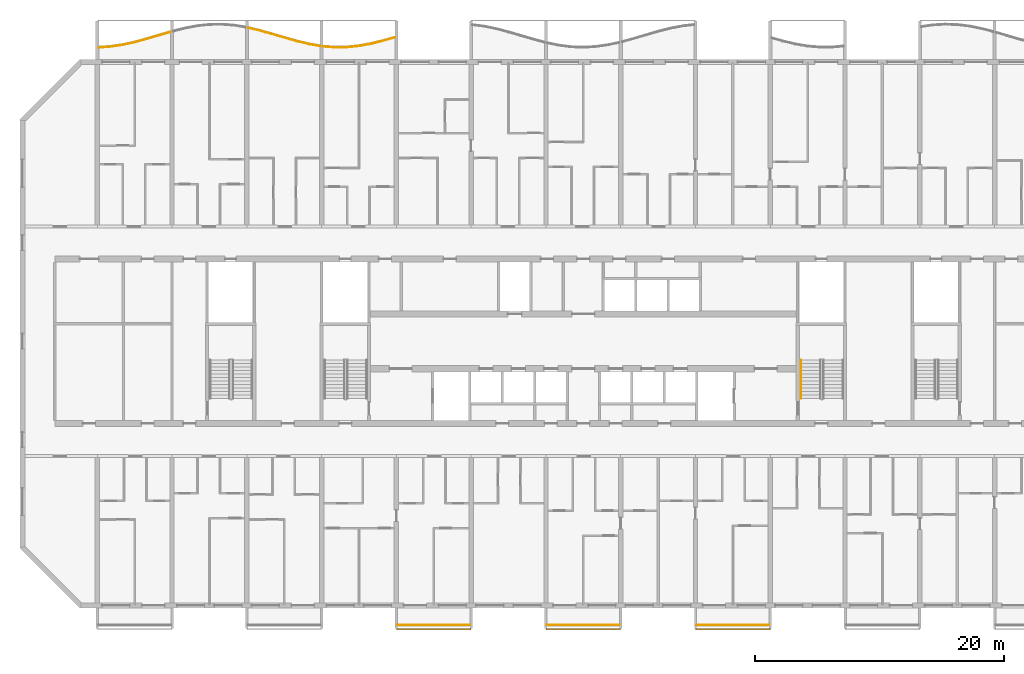
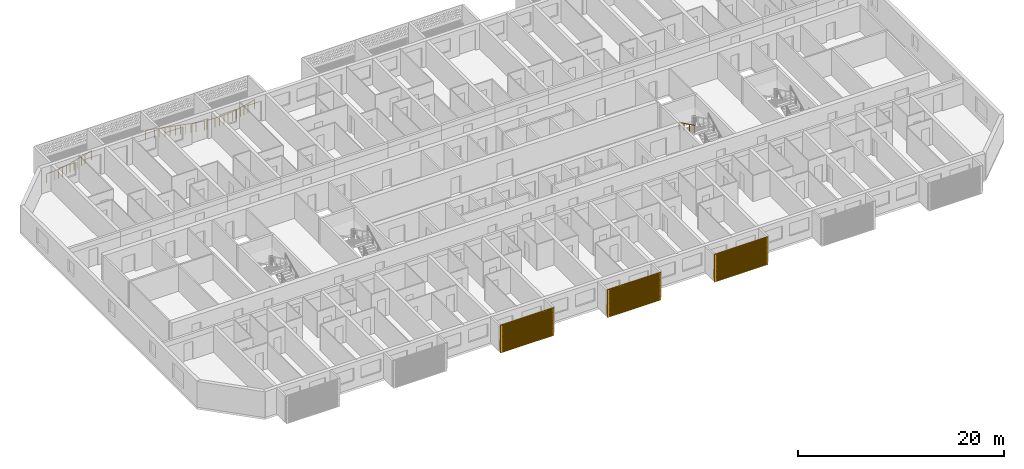
# One storey, part 18 of 27: 7 railings, 3 shading devices.
"""IFC4 building model written with IfcOpenShell, lengths in metres."""

from ifc_helpers import new_model, si_unit, direction, frame, origin, origin_2d, place, context, subcontext, project, spatial, polyline, circle, outline, extrude, source, transform, mapped, material, material_profile, profile_set, type_object, element, save


model = new_model("IFC4")

# Units and contexts
model_context = context("Model", 3, precision=1e-05, world=origin(), true_north=direction((0.0, 1.0)))
body_context = subcontext(model_context, "Body", "Model", "MODEL_VIEW")
ifc_project = project(units=[si_unit("LENGTHUNIT", "METRE"), si_unit("AREAUNIT", "SQUARE_METRE"), si_unit("VOLUMEUNIT", "CUBIC_METRE"), si_unit("PLANEANGLEUNIT", "RADIAN"), si_unit("MASSUNIT", "GRAM", prefix="KILO")], contexts=[model_context])

# Site, building, storey
site_placement = place(None, origin())
site = spatial("IfcSite", under=ifc_project, at=site_placement, CompositionType="ELEMENT")
building_placement = place(site_placement, origin())
building = spatial("IfcBuilding", under=site, at=building_placement, Name="Poui Terraces", CompositionType="ELEMENT")
storey_placement = place(building_placement, frame((0.0, 0.0, 76.199951171875)))
storey = spatial("IfcBuildingStorey", under=building, at=storey_placement, Name="L20", CompositionType="ELEMENT", Elevation=76.199951171875)

# Railings
ifc_material_1 = material(Name="Painted steel fretwork", Category="steel")
railing_type_1 = type_object("IfcRailingType", Name="BALCONY GUARD 1100", PredefinedType="GUARDRAIL", material=ifc_material_1)
railing_1_placement = place(storey_placement, frame((12.125, 44.772216796875, 0.0)))
element("IfcRailing", 1, at=railing_1_placement, inside=storey, type_object=railing_type_1, Name="BALCONY GUARD", PredefinedType="GUARDRAIL", context=body_context, shape_type="SweptSolid", body=[
    extrude(circle(Radius=0.02392578125, at=origin_2d()), frame((0.0, 0.0, 1.076171875), z_axis=(0.998138306731, 0.060991152113, 0.0), x_axis=(-0.060991152113, 0.998138306731, 0.0)), (0.0, 0.0, 1.0), 0.876708984375),
    extrude(circle(Radius=0.02392578125, at=origin_2d()), frame((0.875, 0.053466796875, 1.076171875), z_axis=(0.989647671833, 0.143518241472, 0.0), x_axis=(-0.143518241472, 0.989647671833, 0.0)), (0.0, 0.0, 1.0), 1.010498046875),
    extrude(circle(Radius=0.02392578125, at=origin_2d()), frame((1.875, 0.198486328125, 1.076171875), z_axis=(0.97675043296, 0.214379550593, 0.0), x_axis=(-0.214379550593, 0.97675043296, 0.0)), (0.0, 0.0, 1.0), 1.023681640625),
    extrude(circle(Radius=0.02392578125, at=origin_2d()), frame((2.875, 0.41796875, 1.076171875), z_axis=(0.965067658743, 0.262000790167, 0.0), x_axis=(-0.262000790167, 0.965067658743, 0.0)), (0.0, 0.0, 1.0), 1.0361328125),
    extrude(circle(Radius=0.02392578125, at=origin_2d()), frame((3.875, 0.689453125, 1.076171875), z_axis=(0.959029275123, 0.283306988012, 0.0), x_axis=(-0.283306988012, 0.959029275123, 0.0)), (0.0, 0.0, 1.0), 1.042724609375),
    extrude(circle(Radius=0.02392578125, at=origin_2d()), frame((4.875, 0.98486328125, 1.076171875), z_axis=(0.960239707098, 0.279176834485, 0.0), x_axis=(-0.279176834485, 0.960239707098, 0.0)), (0.0, 0.0, 1.0), 0.9111328125),
    extrude(circle(Radius=0.02099609375, at=origin_2d()), origin(), (0.0, 0.0, 1.0), 1.052001953125),
    extrude(circle(Radius=0.02099609375, at=origin_2d()), frame((0.875, 0.053466796875, 0.0)), (0.0, 0.0, 1.0), 1.052001953125),
    extrude(circle(Radius=0.02099609375, at=origin_2d()), frame((1.375, 0.1259765625, 0.0)), (0.0, 0.0, 1.0), 1.052001953125),
    extrude(circle(Radius=0.02099609375, at=origin_2d()), frame((1.875, 0.198486328125, 0.0)), (0.0, 0.0, 1.0), 1.052001953125),
    extrude(circle(Radius=0.02099609375, at=origin_2d()), frame((2.375, 0.30810546875, 0.0)), (0.0, 0.0, 1.0), 1.052001953125),
    extrude(circle(Radius=0.02099609375, at=origin_2d()), frame((2.875, 0.41796875, 0.0)), (0.0, 0.0, 1.0), 1.052001953125),
    extrude(circle(Radius=0.02099609375, at=origin_2d()), frame((3.375, 0.5537109375, 0.0)), (0.0, 0.0, 1.0), 1.052001953125),
    extrude(circle(Radius=0.02099609375, at=origin_2d()), frame((3.875, 0.689453125, 0.0)), (0.0, 0.0, 1.0), 1.052001953125),
    extrude(circle(Radius=0.02099609375, at=origin_2d()), frame((4.375, 0.837158203125, 0.0)), (0.0, 0.0, 1.0), 1.052001953125),
    extrude(circle(Radius=0.02099609375, at=origin_2d()), frame((4.875, 0.98486328125, 0.0)), (0.0, 0.0, 1.0), 1.052001953125),
    extrude(circle(Radius=0.02099609375, at=origin_2d()), frame((5.75, 1.2392578125, 0.0)), (0.0, 0.0, 1.0), 1.052001953125),
])
railing_2_placement = place(storey_placement, frame((24.125, 46.3447265625, 0.0)))
element("IfcRailing", 2, at=railing_2_placement, inside=storey, type_object=railing_type_1, Name="BALCONY GUARD", PredefinedType="GUARDRAIL", context=body_context, shape_type="SweptSolid", body=[
    extrude(circle(Radius=0.02392578125, at=origin_2d()), frame((0.0, 0.0, 1.076171875), z_axis=(0.972642909815, -0.232305337835, 0.0), x_axis=(0.232305337835, 0.972642909815, 0.0)), (0.0, 0.0, 1.0), 0.899658203125),
    extrude(circle(Radius=0.02392578125, at=origin_2d()), frame((0.875, -0.208984375, 1.076171875), z_axis=(0.962956694383, -0.269656086049, 0.0), x_axis=(0.269656086049, 0.962956694383, 0.0)), (0.0, 0.0, 1.0), 1.03857421875),
    extrude(circle(Radius=0.02392578125, at=origin_2d()), frame((1.875, -0.489013671875, 1.076171875), z_axis=(0.958646866278, -0.284598288426, 0.0), x_axis=(0.284598288426, 0.958646866278, 0.0)), (0.0, 0.0, 1.0), 1.043212890625),
    extrude(circle(Radius=0.02392578125, at=origin_2d()), frame((2.875, -0.785888671875, 1.076171875), z_axis=(0.962282666556, -0.272051593719, 0.0), x_axis=(0.272051593719, 0.962282666556, 0.0)), (0.0, 0.0, 1.0), 1.039306640625),
    extrude(circle(Radius=0.02392578125, at=origin_2d()), frame((3.875, -1.068603515625, 1.076171875), z_axis=(0.972497106951, -0.232914956523, 0.0), x_axis=(0.232914956523, 0.972497106951, 0.0)), (0.0, 0.0, 1.0), 1.0283203125),
    extrude(circle(Radius=0.02392578125, at=origin_2d()), frame((4.875, -1.30810546875, 1.076171875), z_axis=(0.984711559518, -0.174192837258, 0.0), x_axis=(0.174192837258, 0.984711559518, 0.0)), (0.0, 0.0, 1.0), 0.888671875),
    extrude(circle(Radius=0.02099609375, at=origin_2d()), origin(), (0.0, 0.0, 1.0), 1.052001953125),
    extrude(circle(Radius=0.02099609375, at=origin_2d()), frame((0.875, -0.208984375, 0.0)), (0.0, 0.0, 1.0), 1.052001953125),
    extrude(circle(Radius=0.02099609375, at=origin_2d()), frame((1.375, -0.34912109375, 0.0)), (0.0, 0.0, 1.0), 1.052001953125),
    extrude(circle(Radius=0.02099609375, at=origin_2d()), frame((1.875, -0.489013671875, 0.0)), (0.0, 0.0, 1.0), 1.052001953125),
    extrude(circle(Radius=0.02099609375, at=origin_2d()), frame((2.375, -0.637451171875, 0.0)), (0.0, 0.0, 1.0), 1.052001953125),
    extrude(circle(Radius=0.02099609375, at=origin_2d()), frame((2.875, -0.785888671875, 0.0)), (0.0, 0.0, 1.0), 1.052001953125),
    extrude(circle(Radius=0.02099609375, at=origin_2d()), frame((3.375, -0.92724609375, 0.0)), (0.0, 0.0, 1.0), 1.052001953125),
    extrude(circle(Radius=0.02099609375, at=origin_2d()), frame((3.875, -1.068603515625, 0.0)), (0.0, 0.0, 1.0), 1.052001953125),
    extrude(circle(Radius=0.02099609375, at=origin_2d()), frame((4.375, -1.1884765625, 0.0)), (0.0, 0.0, 1.0), 1.052001953125),
    extrude(circle(Radius=0.02099609375, at=origin_2d()), frame((4.875, -1.30810546875, 0.0)), (0.0, 0.0, 1.0), 1.052001953125),
    extrude(circle(Radius=0.02099609375, at=origin_2d()), frame((5.75, -1.462890625, 0.0)), (0.0, 0.0, 1.0), 1.052001953125),
])
railing_3_placement = place(storey_placement, frame((30.125, 44.84912109375, 0.0)))
element("IfcRailing", 3, at=railing_3_placement, inside=storey, type_object=railing_type_1, Name="BALCONY GUARD", PredefinedType="GUARDRAIL", context=body_context, shape_type="SweptSolid", body=[
    extrude(circle(Radius=0.02392578125, at=origin_2d()), frame((0.0, 0.0, 1.076171875), z_axis=(0.996742354742, -0.080651585624, 0.0), x_axis=(0.080651585624, 0.996742354742, 0.0)), (0.0, 0.0, 1.0), 0.8779296875),
    extrude(circle(Radius=0.02392578125, at=origin_2d()), frame((0.875, -0.07080078125, 1.076171875), z_axis=(0.999967546851, 0.008056379162, 0.0), x_axis=(-0.008056379162, 0.999967546851, 0.0)), (0.0, 0.0, 1.0), 1.0),
    extrude(circle(Radius=0.02392578125, at=origin_2d()), frame((1.875, -0.062744140625, 1.076171875), z_axis=(0.994906476978, 0.100802291979, 0.0), x_axis=(-0.100802291979, 0.994906476978, 0.0)), (0.0, 0.0, 1.0), 1.005126953125),
    extrude(circle(Radius=0.02392578125, at=origin_2d()), frame((2.875, 0.03857421875, 1.076171875), z_axis=(0.983347214192, 0.181736777623, 0.0), x_axis=(-0.181736777623, 0.983347214192, 0.0)), (0.0, 0.0, 1.0), 1.016845703125),
    extrude(circle(Radius=0.02392578125, at=origin_2d()), frame((3.875, 0.223388671875, 1.076171875), z_axis=(0.970476070643, 0.241197421854, 0.0), x_axis=(-0.241197421854, 0.970476070643, 0.0)), (0.0, 0.0, 1.0), 1.030517578125),
    extrude(circle(Radius=0.02392578125, at=origin_2d()), frame((4.875, 0.471923828125, 1.076171875), z_axis=(0.961453053843, 0.274969135097, 0.0), x_axis=(-0.274969135097, 0.961453053843, 0.0)), (0.0, 0.0, 1.0), 0.91015625),
    extrude(circle(Radius=0.02099609375, at=origin_2d()), origin(), (0.0, 0.0, 1.0), 1.052001953125),
    extrude(circle(Radius=0.02099609375, at=origin_2d()), frame((0.875, -0.07080078125, 0.0)), (0.0, 0.0, 1.0), 1.052001953125),
    extrude(circle(Radius=0.02099609375, at=origin_2d()), frame((1.375, -0.06689453125, 0.0)), (0.0, 0.0, 1.0), 1.052001953125),
    extrude(circle(Radius=0.02099609375, at=origin_2d()), frame((1.875, -0.062744140625, 0.0)), (0.0, 0.0, 1.0), 1.052001953125),
    extrude(circle(Radius=0.02099609375, at=origin_2d()), frame((2.375, -0.01220703125, 0.0)), (0.0, 0.0, 1.0), 1.052001953125),
    extrude(circle(Radius=0.02099609375, at=origin_2d()), frame((2.875, 0.03857421875, 0.0)), (0.0, 0.0, 1.0), 1.052001953125),
    extrude(circle(Radius=0.02099609375, at=origin_2d()), frame((3.375, 0.130859375, 0.0)), (0.0, 0.0, 1.0), 1.052001953125),
    extrude(circle(Radius=0.02099609375, at=origin_2d()), frame((3.875, 0.223388671875, 0.0)), (0.0, 0.0, 1.0), 1.052001953125),
    extrude(circle(Radius=0.02099609375, at=origin_2d()), frame((4.375, 0.34765625, 0.0)), (0.0, 0.0, 1.0), 1.052001953125),
    extrude(circle(Radius=0.02099609375, at=origin_2d()), frame((4.875, 0.471923828125, 0.0)), (0.0, 0.0, 1.0), 1.052001953125),
    extrude(circle(Radius=0.02099609375, at=origin_2d()), frame((5.75, 0.72216796875, 0.0)), (0.0, 0.0, 1.0), 1.052001953125),
])
for number, where, name in (
    (4, (36.10009765625, -1.570068359375, 0.0), "BALCONY GUARD"),
    (5, (48.10009765625, -1.570068359375, 0.0), "BALCONY GUARD"),
    (6, (60.10009765625, -1.570068359375, 0.0), "BALCONY GUARD"),
):
    element("IfcRailing", number, at=place(storey_placement, frame(where)), inside=storey, type_object=railing_type_1, Name=name, PredefinedType="GUARDRAIL", context=body_context, shape_type="SweptSolid", body=[
        extrude(circle(Radius=0.02392578125, at=origin_2d()), frame((0.0, 0.0, 1.076171875), z_axis=(1.0, 0.0, 0.0), x_axis=(0.0, 1.0, 0.0)), (0.0, 0.0, 1.0), 5.7998046875),
        extrude(circle(Radius=0.02099609375, at=origin_2d()), origin(), (0.0, 0.0, 1.0), 1.052001953125),
        extrude(circle(Radius=0.02099609375, at=origin_2d()), frame((0.966552734375, 0.0, 0.0)), (0.0, 0.0, 1.0), 1.052001953125),
        extrude(circle(Radius=0.02099609375, at=origin_2d()), frame((1.933349609375, 0.0, 0.0)), (0.0, 0.0, 1.0), 1.052001953125),
        extrude(circle(Radius=0.02099609375, at=origin_2d()), frame((2.89990234375, 0.0, 0.0)), (0.0, 0.0, 1.0), 1.052001953125),
        extrude(circle(Radius=0.02099609375, at=origin_2d()), frame((3.866455078125, 0.0, 0.0)), (0.0, 0.0, 1.0), 1.052001953125),
        extrude(circle(Radius=0.02099609375, at=origin_2d()), frame((4.833251953125, 0.0, 0.0)), (0.0, 0.0, 1.0), 1.052001953125),
        extrude(circle(Radius=0.02099609375, at=origin_2d()), frame((5.7998046875, 0.0, 0.0)), (0.0, 0.0, 1.0), 1.052001953125),
    ])
ifc_material_2 = material(Name="Stainless steel handrail", Category="steel")
railing_type_2 = type_object("IfcRailingType", Name="STAIR HANDRAIL 900", PredefinedType="HANDRAIL", material=ifc_material_2)
railing_4_placement = place(storey_placement, frame((68.47509765625, 19.679931640625, 1.78759765625)))
element("IfcRailing", 7, at=railing_4_placement, inside=storey, type_object=railing_type_2, Name="L20 ST-CE stair handrail 2", PredefinedType="HANDRAIL", context=body_context, shape_type="SweptSolid", body=[
    extrude(circle(Radius=0.02392578125, at=origin_2d()), frame((0.0, 0.0, 0.8759765625), z_axis=(0.0, -0.897606190399, 0.440798283751), x_axis=(1.0, 0.0, 0.0)), (0.0, 0.0, 1.0), 3.43115234375),
    extrude(circle(Radius=0.02099609375, at=origin_2d()), origin(), (0.0, 0.0, 1.0), 0.851806640625),
    extrude(circle(Radius=0.02099609375, at=origin_2d()), frame((0.0, -1.026611328125, 0.504150390625)), (0.0, 0.0, 1.0), 0.851806640625),
    extrude(circle(Radius=0.02099609375, at=origin_2d()), frame((0.0, -2.05322265625, 1.00830078125)), (0.0, 0.0, 1.0), 0.851806640625),
    extrude(circle(Radius=0.02099609375, at=origin_2d()), frame((0.0, -3.079833984375, 1.512451171875)), (0.0, 0.0, 1.0), 0.851806640625),
])

# Shading devices
ifc_material_3 = material(Name="Aluminium louvre", Category="aluminium")
ifc_material_profile = material_profile(ifc_material_3, outline(polyline([(-3.0, -1.64990234375), (3.0, -1.64990234375), (3.0, 1.64990234375), (-3.0, 1.64990234375), (-3.0, -1.64990234375)]), holes=[polyline([(-2.800048828125, -1.530029296875), (2.800048828125, -1.530029296875), (2.800048828125, -1.469970703125), (-2.800048828125, -1.469970703125), (-2.800048828125, -1.530029296875)]), polyline([(-2.800048828125, -1.429931640625), (2.800048828125, -1.429931640625), (2.800048828125, -1.3701171875), (-2.800048828125, -1.3701171875), (-2.800048828125, -1.429931640625)]), polyline([(-2.800048828125, -1.330078125), (2.800048828125, -1.330078125), (2.800048828125, -1.27001953125), (-2.800048828125, -1.27001953125), (-2.800048828125, -1.330078125)]), polyline([(-2.800048828125, -1.22998046875), (2.800048828125, -1.22998046875), (2.800048828125, -1.169921875), (-2.800048828125, -1.169921875), (-2.800048828125, -1.22998046875)]), polyline([(-2.800048828125, -1.1298828125), (2.800048828125, -1.1298828125), (2.800048828125, -1.070068359375), (-2.800048828125, -1.070068359375), (-2.800048828125, -1.1298828125)]), polyline([(-2.800048828125, -1.030029296875), (2.800048828125, -1.030029296875), (2.800048828125, -0.969970703125), (-2.800048828125, -0.969970703125), (-2.800048828125, -1.030029296875)]), polyline([(-2.800048828125, -0.929931640625), (2.800048828125, -0.929931640625), (2.800048828125, -0.8701171875), (-2.800048828125, -0.8701171875), (-2.800048828125, -0.929931640625)]), polyline([(-2.800048828125, -0.830078125), (2.800048828125, -0.830078125), (2.800048828125, -0.77001953125), (-2.800048828125, -0.77001953125), (-2.800048828125, -0.830078125)]), polyline([(-2.800048828125, -0.72998046875), (2.800048828125, -0.72998046875), (2.800048828125, -0.669921875), (-2.800048828125, -0.669921875), (-2.800048828125, -0.72998046875)]), polyline([(-2.800048828125, -0.6298828125), (2.800048828125, -0.6298828125), (2.800048828125, -0.570068359375), (-2.800048828125, -0.570068359375), (-2.800048828125, -0.6298828125)]), polyline([(-2.800048828125, -0.530029296875), (2.800048828125, -0.530029296875), (2.800048828125, -0.469970703125), (-2.800048828125, -0.469970703125), (-2.800048828125, -0.530029296875)]), polyline([(-2.800048828125, -0.429931640625), (2.800048828125, -0.429931640625), (2.800048828125, -0.3701171875), (-2.800048828125, -0.3701171875), (-2.800048828125, -0.429931640625)]), polyline([(-2.800048828125, -0.330078125), (2.800048828125, -0.330078125), (2.800048828125, -0.27001953125), (-2.800048828125, -0.27001953125), (-2.800048828125, -0.330078125)]), polyline([(-2.800048828125, -0.22998046875), (2.800048828125, -0.22998046875), (2.800048828125, -0.169921875), (-2.800048828125, -0.169921875), (-2.800048828125, -0.22998046875)]), polyline([(-2.800048828125, -0.1298828125), (2.800048828125, -0.1298828125), (2.800048828125, -0.070068359375), (-2.800048828125, -0.070068359375), (-2.800048828125, -0.1298828125)]), polyline([(-2.800048828125, -0.030029296875), (2.800048828125, -0.030029296875), (2.800048828125, 0.030029296875), (-2.800048828125, 0.030029296875), (-2.800048828125, -0.030029296875)]), polyline([(-2.800048828125, 0.070068359375), (2.800048828125, 0.070068359375), (2.800048828125, 0.1298828125), (-2.800048828125, 0.1298828125), (-2.800048828125, 0.070068359375)]), polyline([(-2.800048828125, 0.169921875), (2.800048828125, 0.169921875), (2.800048828125, 0.22998046875), (-2.800048828125, 0.22998046875), (-2.800048828125, 0.169921875)]), polyline([(-2.800048828125, 0.27001953125), (2.800048828125, 0.27001953125), (2.800048828125, 0.330078125), (-2.800048828125, 0.330078125), (-2.800048828125, 0.27001953125)]), polyline([(-2.800048828125, 0.3701171875), (2.800048828125, 0.3701171875), (2.800048828125, 0.429931640625), (-2.800048828125, 0.429931640625), (-2.800048828125, 0.3701171875)]), polyline([(-2.800048828125, 0.469970703125), (2.800048828125, 0.469970703125), (2.800048828125, 0.530029296875), (-2.800048828125, 0.530029296875), (-2.800048828125, 0.469970703125)]), polyline([(-2.800048828125, 0.570068359375), (2.800048828125, 0.570068359375), (2.800048828125, 0.6298828125), (-2.800048828125, 0.6298828125), (-2.800048828125, 0.570068359375)]), polyline([(-2.800048828125, 0.669921875), (2.800048828125, 0.669921875), (2.800048828125, 0.72998046875), (-2.800048828125, 0.72998046875), (-2.800048828125, 0.669921875)]), polyline([(-2.800048828125, 0.77001953125), (2.800048828125, 0.77001953125), (2.800048828125, 0.830078125), (-2.800048828125, 0.830078125), (-2.800048828125, 0.77001953125)]), polyline([(-2.800048828125, 0.8701171875), (2.800048828125, 0.8701171875), (2.800048828125, 0.929931640625), (-2.800048828125, 0.929931640625), (-2.800048828125, 0.8701171875)]), polyline([(-2.800048828125, 0.969970703125), (2.800048828125, 0.969970703125), (2.800048828125, 1.030029296875), (-2.800048828125, 1.030029296875), (-2.800048828125, 0.969970703125)]), polyline([(-2.800048828125, 1.070068359375), (2.800048828125, 1.070068359375), (2.800048828125, 1.1298828125), (-2.800048828125, 1.1298828125), (-2.800048828125, 1.070068359375)]), polyline([(-2.800048828125, 1.169921875), (2.800048828125, 1.169921875), (2.800048828125, 1.22998046875), (-2.800048828125, 1.22998046875), (-2.800048828125, 1.169921875)]), polyline([(-2.800048828125, 1.27001953125), (2.800048828125, 1.27001953125), (2.800048828125, 1.330078125), (-2.800048828125, 1.330078125), (-2.800048828125, 1.27001953125)]), polyline([(-2.800048828125, 1.3701171875), (2.800048828125, 1.3701171875), (2.800048828125, 1.429931640625), (-2.800048828125, 1.429931640625), (-2.800048828125, 1.3701171875)]), polyline([(-2.800048828125, 1.469970703125), (2.800048828125, 1.469970703125), (2.800048828125, 1.530029296875), (-2.800048828125, 1.530029296875), (-2.800048828125, 1.469970703125)])]), Name="JALOUSIE LOUVRE SHUTTER 6000X3300")
ifc_profile_set = profile_set([ifc_material_profile], Name="Aluminium louvre")
shading_device_type = type_object("IfcShadingDeviceType", Name="JALOUSIE LOUVRE SHUTTER 6000X3300", PredefinedType="JALOUSIE", material=ifc_profile_set)
shared_shape = source(origin(), body_context, "Body", "SweptSolid", [
    extrude(outline(polyline([(-3.0, -1.64990234375), (3.0, -1.64990234375), (3.0, 1.64990234375), (-3.0, 1.64990234375), (-3.0, -1.64990234375)]), holes=[polyline([(-2.800048828125, -1.530029296875), (2.800048828125, -1.530029296875), (2.800048828125, -1.469970703125), (-2.800048828125, -1.469970703125), (-2.800048828125, -1.530029296875)]), polyline([(-2.800048828125, -1.429931640625), (2.800048828125, -1.429931640625), (2.800048828125, -1.3701171875), (-2.800048828125, -1.3701171875), (-2.800048828125, -1.429931640625)]), polyline([(-2.800048828125, -1.330078125), (2.800048828125, -1.330078125), (2.800048828125, -1.27001953125), (-2.800048828125, -1.27001953125), (-2.800048828125, -1.330078125)]), polyline([(-2.800048828125, -1.22998046875), (2.800048828125, -1.22998046875), (2.800048828125, -1.169921875), (-2.800048828125, -1.169921875), (-2.800048828125, -1.22998046875)]), polyline([(-2.800048828125, -1.1298828125), (2.800048828125, -1.1298828125), (2.800048828125, -1.070068359375), (-2.800048828125, -1.070068359375), (-2.800048828125, -1.1298828125)]), polyline([(-2.800048828125, -1.030029296875), (2.800048828125, -1.030029296875), (2.800048828125, -0.969970703125), (-2.800048828125, -0.969970703125), (-2.800048828125, -1.030029296875)]), polyline([(-2.800048828125, -0.929931640625), (2.800048828125, -0.929931640625), (2.800048828125, -0.8701171875), (-2.800048828125, -0.8701171875), (-2.800048828125, -0.929931640625)]), polyline([(-2.800048828125, -0.830078125), (2.800048828125, -0.830078125), (2.800048828125, -0.77001953125), (-2.800048828125, -0.77001953125), (-2.800048828125, -0.830078125)]), polyline([(-2.800048828125, -0.72998046875), (2.800048828125, -0.72998046875), (2.800048828125, -0.669921875), (-2.800048828125, -0.669921875), (-2.800048828125, -0.72998046875)]), polyline([(-2.800048828125, -0.6298828125), (2.800048828125, -0.6298828125), (2.800048828125, -0.570068359375), (-2.800048828125, -0.570068359375), (-2.800048828125, -0.6298828125)]), polyline([(-2.800048828125, -0.530029296875), (2.800048828125, -0.530029296875), (2.800048828125, -0.469970703125), (-2.800048828125, -0.469970703125), (-2.800048828125, -0.530029296875)]), polyline([(-2.800048828125, -0.429931640625), (2.800048828125, -0.429931640625), (2.800048828125, -0.3701171875), (-2.800048828125, -0.3701171875), (-2.800048828125, -0.429931640625)]), polyline([(-2.800048828125, -0.330078125), (2.800048828125, -0.330078125), (2.800048828125, -0.27001953125), (-2.800048828125, -0.27001953125), (-2.800048828125, -0.330078125)]), polyline([(-2.800048828125, -0.22998046875), (2.800048828125, -0.22998046875), (2.800048828125, -0.169921875), (-2.800048828125, -0.169921875), (-2.800048828125, -0.22998046875)]), polyline([(-2.800048828125, -0.1298828125), (2.800048828125, -0.1298828125), (2.800048828125, -0.070068359375), (-2.800048828125, -0.070068359375), (-2.800048828125, -0.1298828125)]), polyline([(-2.800048828125, -0.030029296875), (2.800048828125, -0.030029296875), (2.800048828125, 0.030029296875), (-2.800048828125, 0.030029296875), (-2.800048828125, -0.030029296875)]), polyline([(-2.800048828125, 0.070068359375), (2.800048828125, 0.070068359375), (2.800048828125, 0.1298828125), (-2.800048828125, 0.1298828125), (-2.800048828125, 0.070068359375)]), polyline([(-2.800048828125, 0.169921875), (2.800048828125, 0.169921875), (2.800048828125, 0.22998046875), (-2.800048828125, 0.22998046875), (-2.800048828125, 0.169921875)]), polyline([(-2.800048828125, 0.27001953125), (2.800048828125, 0.27001953125), (2.800048828125, 0.330078125), (-2.800048828125, 0.330078125), (-2.800048828125, 0.27001953125)]), polyline([(-2.800048828125, 0.3701171875), (2.800048828125, 0.3701171875), (2.800048828125, 0.429931640625), (-2.800048828125, 0.429931640625), (-2.800048828125, 0.3701171875)]), polyline([(-2.800048828125, 0.469970703125), (2.800048828125, 0.469970703125), (2.800048828125, 0.530029296875), (-2.800048828125, 0.530029296875), (-2.800048828125, 0.469970703125)]), polyline([(-2.800048828125, 0.570068359375), (2.800048828125, 0.570068359375), (2.800048828125, 0.6298828125), (-2.800048828125, 0.6298828125), (-2.800048828125, 0.570068359375)]), polyline([(-2.800048828125, 0.669921875), (2.800048828125, 0.669921875), (2.800048828125, 0.72998046875), (-2.800048828125, 0.72998046875), (-2.800048828125, 0.669921875)]), polyline([(-2.800048828125, 0.77001953125), (2.800048828125, 0.77001953125), (2.800048828125, 0.830078125), (-2.800048828125, 0.830078125), (-2.800048828125, 0.77001953125)]), polyline([(-2.800048828125, 0.8701171875), (2.800048828125, 0.8701171875), (2.800048828125, 0.929931640625), (-2.800048828125, 0.929931640625), (-2.800048828125, 0.8701171875)]), polyline([(-2.800048828125, 0.969970703125), (2.800048828125, 0.969970703125), (2.800048828125, 1.030029296875), (-2.800048828125, 1.030029296875), (-2.800048828125, 0.969970703125)]), polyline([(-2.800048828125, 1.070068359375), (2.800048828125, 1.070068359375), (2.800048828125, 1.1298828125), (-2.800048828125, 1.1298828125), (-2.800048828125, 1.070068359375)]), polyline([(-2.800048828125, 1.169921875), (2.800048828125, 1.169921875), (2.800048828125, 1.22998046875), (-2.800048828125, 1.22998046875), (-2.800048828125, 1.169921875)]), polyline([(-2.800048828125, 1.27001953125), (2.800048828125, 1.27001953125), (2.800048828125, 1.330078125), (-2.800048828125, 1.330078125), (-2.800048828125, 1.27001953125)]), polyline([(-2.800048828125, 1.3701171875), (2.800048828125, 1.3701171875), (2.800048828125, 1.429931640625), (-2.800048828125, 1.429931640625), (-2.800048828125, 1.3701171875)]), polyline([(-2.800048828125, 1.469970703125), (2.800048828125, 1.469970703125), (2.800048828125, 1.530029296875), (-2.800048828125, 1.530029296875), (-2.800048828125, 1.469970703125)])]), origin(), (0.0, 0.0, 1.0), 0.099853515625),
])
for number, where, z_axis, x_axis, name in (
    (8, (39.0, -1.85009765625, 1.449951171875), (0.0, -1.0, 0.0), (1.0, 0.0, 0.0), "JALOUSIE LOUVRE SHUTTER"),
    (9, (51.0, -1.85009765625, 1.449951171875), (0.0, -1.0, 0.0), (1.0, 0.0, 0.0), "JALOUSIE LOUVRE SHUTTER"),
    (10, (63.0, -1.85009765625, 1.449951171875), (0.0, -1.0, 0.0), (1.0, 0.0, 0.0), "JALOUSIE LOUVRE SHUTTER"),
):
    element("IfcShadingDevice", number, at=place(storey_placement, frame(where, z_axis=z_axis, x_axis=x_axis)), inside=storey, type_object=shading_device_type, Name=name, PredefinedType="JALOUSIE", context=body_context, shape_type="MappedRepresentation", body=[
        mapped(shared_shape, transform((0.0, 0.0, 0.0))),
    ])

save(model, "model.ifc")
